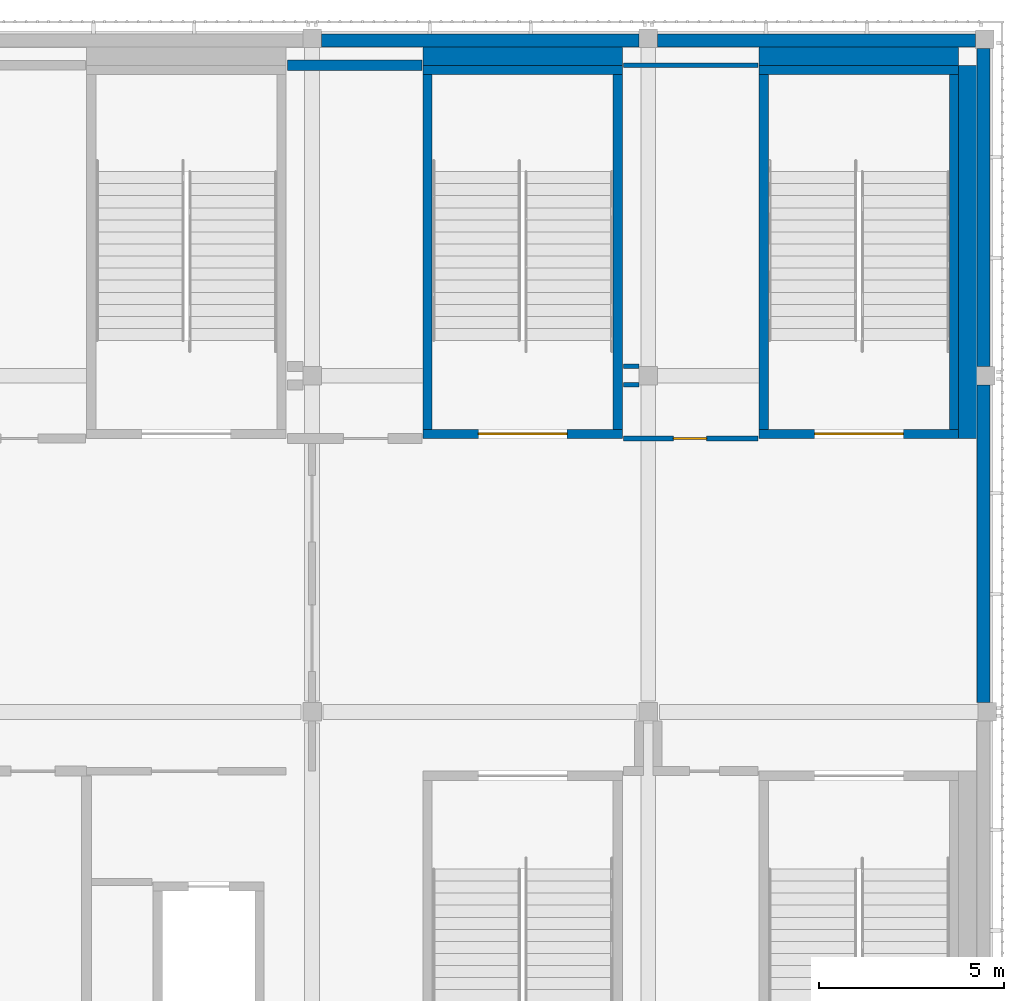
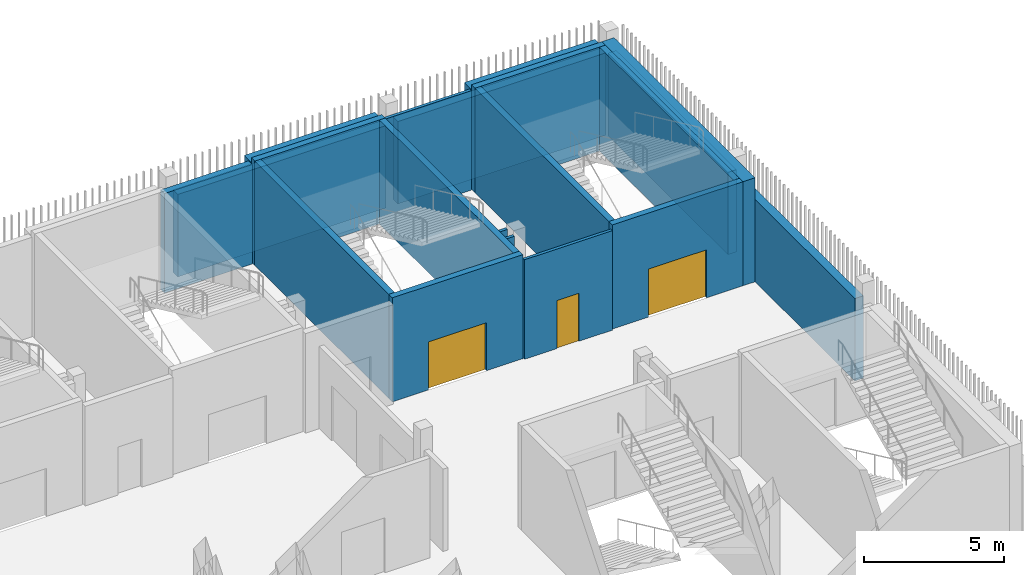
# One storey, part 56 of 91: 20 walls, 3 doors, 3 openings.
"""IFC4 building model written with IfcOpenShell, lengths in metres."""

from ifc_helpers import new_model, si_unit, direction, frame, frame_2d, origin, place, context, subcontext, project, spatial, rectangle, extrude, material, layer, layer_set, type_object, element, fill, save


model = new_model("IFC4")

# Units and contexts
model_context = context("Model", 3, precision=1e-05, world=origin(), true_north=direction((0.0, 1.0)))
body_context = subcontext(model_context, "Body", "Model", "MODEL_VIEW")
ifc_project = project(units=[si_unit("LENGTHUNIT", "METRE"), si_unit("AREAUNIT", "SQUARE_METRE"), si_unit("VOLUMEUNIT", "CUBIC_METRE"), si_unit("PLANEANGLEUNIT", "RADIAN"), si_unit("MASSUNIT", "GRAM", prefix="KILO")], contexts=[model_context])

# Site, building, storey
site_placement = place(None, origin())
site = spatial("IfcSite", under=ifc_project, at=site_placement, CompositionType="ELEMENT")
building_placement = place(site_placement, origin())
building = spatial("IfcBuilding", under=site, at=building_placement, Name="Shirokan Park Arena", CompositionType="ELEMENT")
storey_placement = place(building_placement, frame((0.0, 0.0, 24.570068359375)))
storey = spatial("IfcBuildingStorey", under=building, at=storey_placement, Name="L05", CompositionType="ELEMENT", Elevation=24.570068359375)

# Walls
ifc_material_1 = material(Name="Cedar cladding")
ifc_layer_1 = layer(ifc_material_1, 0.030029296875, Name="Cedar cladding")
ifc_material_2 = material(Name="Mineral wool insulation")
ifc_layer_2 = layer(ifc_material_2, 0.10009765625, Name="Mineral wool insulation")
ifc_material_3 = material(Name="Concrete C35", Category="concrete")
ifc_layer_3 = layer(ifc_material_3, 0.199951171875, Name="Concrete C35")
ifc_material_4 = material(Name="Gypsum board lining")
ifc_layer_4 = layer(ifc_material_4, 0.02001953125, Name="Gypsum board lining")
ifc_layer_set_1 = layer_set([ifc_layer_1, ifc_layer_2, ifc_layer_3, ifc_layer_4], Name="Cedar cladding + Mineral wool insulation + Concrete C35 + Gypsum board lining")
wall_type_1 = type_object("IfcWallType", Name="Insulated tower wall 350", PredefinedType="SOLIDWALL", material=ifc_layer_set_1)
wall_1_placement = place(storey_placement, frame((145.574951171875, 91.25, 0.0), z_axis=(0.0, 0.0, 1.0), x_axis=(0.0, 1.0, 0.0)))
element("IfcWall", 1, at=wall_1_placement, inside=storey, type_object=wall_type_1, Name="East facade wall bay 11 L05", PredefinedType="SOLIDWALL", context=body_context, shape_type="SweptSolid", body=[
    extrude(rectangle(XDim=8.60009765625, YDim=0.35009765625, at=frame_2d((4.300048828125, 0.0))), origin(), (0.0, 0.0, 1.0), 3.599853515625),
])
wall_2_placement = place(storey_placement, frame((145.574951171875, 100.35009765625, 0.0), z_axis=(0.0, 0.0, 1.0), x_axis=(0.0, 1.0, 0.0)))
element("IfcWall", 2, at=wall_2_placement, inside=storey, type_object=wall_type_1, Name="East facade wall bay 12 L05", PredefinedType="SOLIDWALL", context=body_context, shape_type="SweptSolid", body=[
    extrude(rectangle(XDim=8.599853515625, YDim=0.35009765625, at=frame_2d((4.2998046875, 0.0))), origin(), (0.0, 0.0, 1.0), 3.599853515625),
])
for number, where, z_axis, x_axis, name in (
    (3, (145.35009765625, 109.175048828125, 0.0), (0.0, 0.0, 1.0), (-1.0, 0.0, 0.0), "North facade wall bay 1 L05"),
    (4, (136.25, 109.175048828125, 0.0), (0.0, 0.0, 1.0), (-1.0, 0.0, 0.0), "North facade wall bay 2 L05"),
):
    element("IfcWall", number, at=place(storey_placement, frame(where, z_axis=z_axis, x_axis=x_axis)), inside=storey, type_object=wall_type_1, Name=name, PredefinedType="SOLIDWALL", context=body_context, shape_type="SweptSolid", body=[
        extrude(rectangle(XDim=8.60009765625, YDim=0.35009765625, at=frame_2d((4.300048828125, 0.0))), origin(), (0.0, 0.0, 1.0), 3.599853515625),
    ])
ifc_material_5 = material(Name="Plaster")
ifc_layer_5 = layer(ifc_material_5, 0.012451171875, Name="Plaster")
ifc_material_6 = material(Name="Concrete blockwork", Category="masonry")
ifc_layer_6 = layer(ifc_material_6, 0.25, Name="Concrete blockwork 250")
ifc_layer_7 = layer(ifc_material_5, 0.012451171875, Name="Plaster")
ifc_layer_set_2 = layer_set([ifc_layer_5, ifc_layer_6, ifc_layer_7], Name="Plaster + Concrete blockwork 250")
wall_type_2 = type_object("IfcWallType", Name="Plant room wall 275", PredefinedType="SOLIDWALL", material=ifc_layer_set_2)
wall_3_placement = place(storey_placement, frame((126.72998046875, 108.5, 0.0), z_axis=(0.0, 0.0, 1.0), x_axis=(1.0, 0.0, 0.0)))
element("IfcWall", 5, at=wall_3_placement, inside=storey, type_object=wall_type_2, Name="Plant room wall 275 L05", PredefinedType="SOLIDWALL", context=body_context, shape_type="SweptSolid", body=[
    extrude(rectangle(XDim=3.64013671875, YDim=0.27490234375, at=frame_2d((1.820068359375, 0.0))), origin(), (0.0, 0.0, 1.0), 4.349853515625),
])

# Wall, opening, door
ifc_material_7 = material(Name="Concrete C40/50", Category="concrete")
ifc_layer_8 = layer(ifc_material_7, 0.25)
ifc_layer_set_3 = layer_set([ifc_layer_8], Name="Concrete C40/50 250 mm")
wall_type_3 = type_object("IfcWallType", Name="RC shear wall 250", PredefinedType="SHEAR", material=ifc_layer_set_3)
wall_4_placement = place(storey_placement, frame((144.89990234375, 98.52490234375, 0.0), z_axis=(0.0, 0.0, 1.0), x_axis=(-1.0, 0.0, 0.0)))
wall_4 = element("IfcWall", 6, at=wall_4_placement, inside=storey, type_object=wall_type_3, Name="Shaft wall Exit Stair 3.A S L05", PredefinedType="SHEAR", context=body_context, shape_type="SweptSolid", body=[
    extrude(rectangle(XDim=5.39990234375, YDim=0.25, at=frame_2d((2.699951171875, 0.0))), origin(), (0.0, 0.0, 1.0), 4.550048828125),
])
opening_1_placement = place(wall_4_placement, frame((1.5, 0.0, 0.0)))
opening_1 = element("IfcOpeningElement", 7, at=opening_1_placement, cuts=wall_4, Name="Opening D-5147", PredefinedType="OPENING", context=body_context, shape_type="SweptSolid", body=[
    extrude(rectangle(XDim=2.39990234375, YDim=2.10009765625, at=frame_2d((1.199951171875, 1.050048828125))), frame((0.0, 0.135009765625, 0.0), z_axis=(0.0, -1.0, 0.0), x_axis=(1.0, 0.0, 0.0)), (0.0, 0.0, 1.0), 0.27001953125),
])
ifc_material_8 = material(Name="Steel door set, fire resisting", Category="steel")
door_type_1 = type_object("IfcDoorType", Name="Stair door 2400 x 2100", OperationType="DOUBLE_DOOR_SINGLE_SWING", PredefinedType="DOOR", material=ifc_material_8)
door_1_placement = place(opening_1_placement, origin())
door_1 = element("IfcDoor", 8, at=door_1_placement, inside=storey, type_object=door_type_1, Name="Stair door Exit Stair 3.A D-5147", OperationType="DOUBLE_DOOR_SINGLE_SWING", OverallHeight=2.10009765625, OverallWidth=2.39990234375, PredefinedType="DOOR", context=body_context, shape_type="SweptSolid", body=[
    extrude(rectangle(XDim=2.39990234375, YDim=2.10009765625, at=frame_2d((1.199951171875, 1.050048828125))), frame((0.0, 0.02490234375, 0.0), z_axis=(0.0, -1.0, 0.0), x_axis=(1.0, 0.0, 0.0)), (0.0, 0.0, 1.0), 0.050048828125),
])
fill(opening_1, door_1)

# Walls
wall_5_placement = place(storey_placement, frame((144.89990234375, 108.375, 0.0), z_axis=(0.0, 0.0, 1.0), x_axis=(-1.0, 0.0, 0.0)))
element("IfcWall", 9, at=wall_5_placement, inside=storey, type_object=wall_type_3, Name="Shaft wall Exit Stair 3.A N L05", PredefinedType="SHEAR", context=body_context, shape_type="SweptSolid", body=[
    extrude(rectangle(XDim=5.39990234375, YDim=0.25, at=frame_2d((2.699951171875, 0.0))), origin(), (0.0, 0.0, 1.0), 4.550048828125),
])
for number, where, z_axis, x_axis, name in (
    (10, (139.625, 108.25, 0.0), (0.0, 0.0, 1.0), (0.0, -1.0, 0.0), "Shaft wall Exit Stair 3.A W L05"),
    (11, (144.77490234375, 108.25, 0.0), (0.0, 0.0, 1.0), (0.0, -1.0, 0.0), "Shaft wall Exit Stair 3.A E L05"),
):
    element("IfcWall", number, at=place(storey_placement, frame(where, z_axis=z_axis, x_axis=x_axis)), inside=storey, type_object=wall_type_3, Name=name, PredefinedType="SHEAR", context=body_context, shape_type="SweptSolid", body=[
        extrude(rectangle(XDim=9.60009765625, YDim=0.25, at=frame_2d((4.800048828125, 0.0))), origin(), (0.0, 0.0, 1.0), 4.550048828125),
    ])

# Wall, opening, door
wall_6_placement = place(storey_placement, frame((135.800048828125, 98.52490234375, 0.0), z_axis=(0.0, 0.0, 1.0), x_axis=(-1.0, 0.0, 0.0)))
wall_6 = element("IfcWall", 12, at=wall_6_placement, inside=storey, type_object=wall_type_3, Name="Shaft wall Exit Stair 3.B S L05", PredefinedType="SHEAR", context=body_context, shape_type="SweptSolid", body=[
    extrude(rectangle(XDim=5.400146484375, YDim=0.25, at=frame_2d((2.7001953125, 0.0))), origin(), (0.0, 0.0, 1.0), 4.550048828125),
])
opening_2_placement = place(wall_6_placement, frame((1.5, 0.0, 0.0)))
opening_2 = element("IfcOpeningElement", 13, at=opening_2_placement, cuts=wall_6, Name="Opening D-5148", PredefinedType="OPENING", context=body_context, shape_type="SweptSolid", body=[
    extrude(rectangle(XDim=2.39990234375, YDim=2.10009765625, at=frame_2d((1.199951171875, 1.050048828125))), frame((0.0, 0.135009765625, 0.0), z_axis=(0.0, -1.0, 0.0), x_axis=(1.0, 0.0, 0.0)), (0.0, 0.0, 1.0), 0.27001953125),
])
door_2_placement = place(opening_2_placement, origin())
door_2 = element("IfcDoor", 14, at=door_2_placement, inside=storey, type_object=door_type_1, Name="Stair door Exit Stair 3.B D-5148", OperationType="DOUBLE_DOOR_SINGLE_SWING", OverallHeight=2.10009765625, OverallWidth=2.39990234375, PredefinedType="DOOR", context=body_context, shape_type="SweptSolid", body=[
    extrude(rectangle(XDim=2.39990234375, YDim=2.10009765625, at=frame_2d((1.199951171875, 1.050048828125))), frame((0.0, 0.02490234375, 0.0), z_axis=(0.0, -1.0, 0.0), x_axis=(1.0, 0.0, 0.0)), (0.0, 0.0, 1.0), 0.050048828125),
])
fill(opening_2, door_2)

# Walls
wall_7_placement = place(storey_placement, frame((135.800048828125, 108.375, 0.0), z_axis=(0.0, 0.0, 1.0), x_axis=(-1.0, 0.0, 0.0)))
element("IfcWall", 15, at=wall_7_placement, inside=storey, type_object=wall_type_3, Name="Shaft wall Exit Stair 3.B N L05", PredefinedType="SHEAR", context=body_context, shape_type="SweptSolid", body=[
    extrude(rectangle(XDim=5.400146484375, YDim=0.25, at=frame_2d((2.7001953125, 0.0))), origin(), (0.0, 0.0, 1.0), 4.550048828125),
])
for number, where, z_axis, x_axis, name in (
    (16, (130.52490234375, 108.25, 0.0), (0.0, 0.0, 1.0), (0.0, -1.0, 0.0), "Shaft wall Exit Stair 3.B W L05"),
    (17, (135.675048828125, 108.25, 0.0), (0.0, 0.0, 1.0), (0.0, -1.0, 0.0), "Shaft wall Exit Stair 3.B E L05"),
):
    element("IfcWall", number, at=place(storey_placement, frame(where, z_axis=z_axis, x_axis=x_axis)), inside=storey, type_object=wall_type_3, Name=name, PredefinedType="SHEAR", context=body_context, shape_type="SweptSolid", body=[
        extrude(rectangle(XDim=9.60009765625, YDim=0.25, at=frame_2d((4.800048828125, 0.0))), origin(), (0.0, 0.0, 1.0), 4.550048828125),
    ])
ifc_layer_9 = layer(ifc_material_3, 0.5)
ifc_layer_set_4 = layer_set([ifc_layer_9], Name="Concrete C35 500 mm")
wall_type_4 = type_object("IfcWallType", Name="Shaft infill wall 500", PredefinedType="SOLIDWALL", material=ifc_layer_set_4)
wall_8_placement = place(storey_placement, frame((139.5, 108.75, 0.0), z_axis=(0.0, 0.0, 1.0), x_axis=(1.0, 0.0, 0.0)))
element("IfcWall", 18, at=wall_8_placement, inside=storey, type_object=wall_type_4, Name="Shaft infill wall L05", PredefinedType="SOLIDWALL", context=body_context, shape_type="SweptSolid", body=[
    extrude(rectangle(XDim=5.39990234375, YDim=0.5, at=frame_2d((2.699951171875, 0.0))), origin(), (0.0, 0.0, 1.0), 4.349853515625),
])
wall_9_placement = place(storey_placement, frame((145.14990234375, 98.39990234375, 0.0), z_axis=(0.0, 0.0, 1.0), x_axis=(0.0, 1.0, 0.0)))
element("IfcWall", 19, at=wall_9_placement, inside=storey, type_object=wall_type_4, Name="Shaft infill wall L05", PredefinedType="SOLIDWALL", context=body_context, shape_type="SweptSolid", body=[
    extrude(rectangle(XDim=10.10009765625, YDim=0.5, at=frame_2d((5.050048828125, 0.0))), origin(), (0.0, 0.0, 1.0), 4.550048828125),
])
wall_10_placement = place(storey_placement, frame((130.39990234375, 108.75, 0.0), z_axis=(0.0, 0.0, 1.0), x_axis=(1.0, 0.0, 0.0)))
element("IfcWall", 20, at=wall_10_placement, inside=storey, type_object=wall_type_4, Name="Shaft infill wall L05", PredefinedType="SOLIDWALL", context=body_context, shape_type="SweptSolid", body=[
    extrude(rectangle(XDim=5.400146484375, YDim=0.5, at=frame_2d((2.7001953125, 0.0))), origin(), (0.0, 0.0, 1.0), 4.349853515625),
])

# Wall, opening, door
ifc_material_9 = material(Name="Ceramic tile")
ifc_layer_10 = layer(ifc_material_9, 0.010009765625, Name="Ceramic tile")
ifc_material_10 = material(Name="Cement board")
ifc_layer_11 = layer(ifc_material_10, 0.012451171875, Name="Cement board")
ifc_layer_12 = layer(ifc_material_2, 0.080078125, Name="Mineral wool insulation")
ifc_layer_13 = layer(ifc_material_10, 0.012451171875, Name="Cement board")
ifc_layer_14 = layer(ifc_material_9, 0.010009765625, Name="Ceramic tile")
ifc_layer_set_5 = layer_set([ifc_layer_10, ifc_layer_11, ifc_layer_12, ifc_layer_13, ifc_layer_14], Name="Ceramic tile + Cement board + Mineral wool insulation")
wall_type_5 = type_object("IfcWallType", Name="Wet-area wall 125", PredefinedType="PARTITIONING", material=ifc_layer_set_5)
wall_11_placement = place(storey_placement, frame((135.830078125, 98.39990234375, 0.0), z_axis=(0.0, 0.0, 1.0), x_axis=(1.0, 0.0, 0.0)))
wall_11 = element("IfcWall", 21, at=wall_11_placement, inside=storey, type_object=wall_type_5, Name="Wet-area wall 125 L05", PredefinedType="PARTITIONING", context=body_context, shape_type="SweptSolid", body=[
    extrude(rectangle(XDim=3.639892578125, YDim=0.125, at=frame_2d((1.81982421875, 0.0))), origin(), (0.0, 0.0, 1.0), 4.349853515625),
])
opening_3_placement = place(wall_11_placement, frame((1.35009765625, 0.0, 0.0)))
opening_3 = element("IfcOpeningElement", 22, at=opening_3_placement, cuts=wall_11, Name="Opening D-5026", PredefinedType="OPENING", context=body_context, shape_type="SweptSolid", body=[
    extrude(rectangle(XDim=0.89990234375, YDim=2.10009765625, at=frame_2d((0.449951171875, 1.050048828125))), frame((0.0, 0.072509765625, 0.0), z_axis=(0.0, -1.0, 0.0), x_axis=(1.0, 0.0, 0.0)), (0.0, 0.0, 1.0), 0.14501953125),
])
ifc_material_11 = material(Name="Timber door set, fire resisting", Category="wood")
door_type_2 = type_object("IfcDoorType", Name="Door 900 x 2100", OperationType="SINGLE_SWING_LEFT", PredefinedType="DOOR", material=ifc_material_11)
door_3_placement = place(opening_3_placement, origin())
door_3 = element("IfcDoor", 23, at=door_3_placement, inside=storey, type_object=door_type_2, Name="Door to Staff WC 5.30 D-5026", OperationType="SINGLE_SWING_RIGHT", OverallHeight=2.10009765625, OverallWidth=0.89990234375, PredefinedType="DOOR", context=body_context, shape_type="SweptSolid", body=[
    extrude(rectangle(XDim=0.89990234375, YDim=2.10009765625, at=frame_2d((0.449951171875, 1.050048828125))), frame((0.0, 0.02490234375, 0.0), z_axis=(0.0, -1.0, 0.0), x_axis=(1.0, 0.0, 0.0)), (0.0, 0.0, 1.0), 0.050048828125),
])
fill(opening_3, door_3)

# Walls
wall_12_placement = place(storey_placement, frame((135.830078125, 99.85009765625, 0.0), z_axis=(0.0, 0.0, 1.0), x_axis=(1.0, 0.0, 0.0)))
element("IfcWall", 24, at=wall_12_placement, inside=storey, type_object=wall_type_5, Name="Wet-area wall 125 L05", PredefinedType="PARTITIONING", context=body_context, shape_type="SweptSolid", body=[
    extrude(rectangle(XDim=0.419921875, YDim=0.125, at=frame_2d((0.2099609375, 0.0))), origin(), (0.0, 0.0, 1.0), 4.349853515625),
])
wall_13_placement = place(storey_placement, frame((135.830078125, 108.5, 0.0), z_axis=(0.0, 0.0, 1.0), x_axis=(1.0, 0.0, 0.0)))
element("IfcWall", 25, at=wall_13_placement, inside=storey, type_object=wall_type_5, Name="Wet-area wall 125 L05", PredefinedType="PARTITIONING", context=body_context, shape_type="SweptSolid", body=[
    extrude(rectangle(XDim=3.639892578125, YDim=0.125, at=frame_2d((1.81982421875, 0.0))), origin(), (0.0, 0.0, 1.0), 4.349853515625),
])
wall_14_placement = place(storey_placement, frame((136.25, 100.35009765625, 0.0), z_axis=(0.0, 0.0, 1.0), x_axis=(-1.0, 0.0, 0.0)))
element("IfcWall", 26, at=wall_14_placement, inside=storey, type_object=wall_type_5, Name="Wet-area wall 125 L05", PredefinedType="PARTITIONING", context=body_context, shape_type="SweptSolid", body=[
    extrude(rectangle(XDim=0.419921875, YDim=0.125, at=frame_2d((0.2099609375, 0.0))), origin(), (0.0, 0.0, 1.0), 4.349853515625),
])

save(model, "model.ifc")
